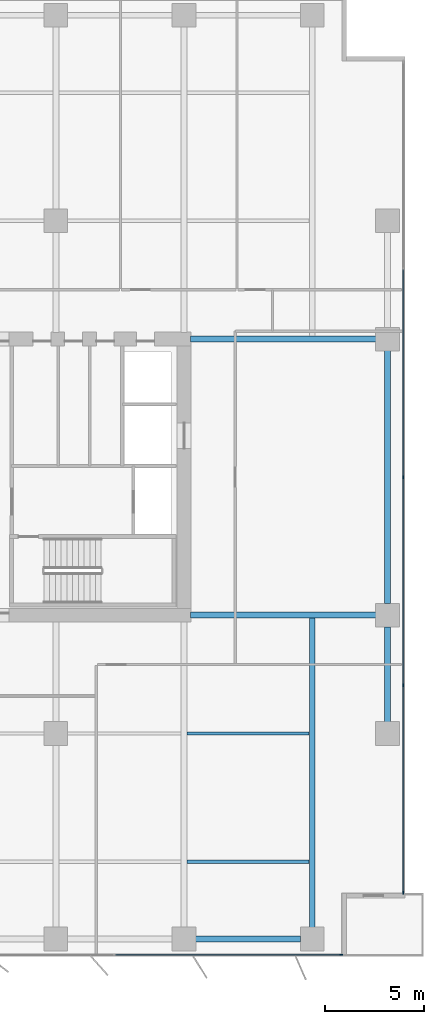
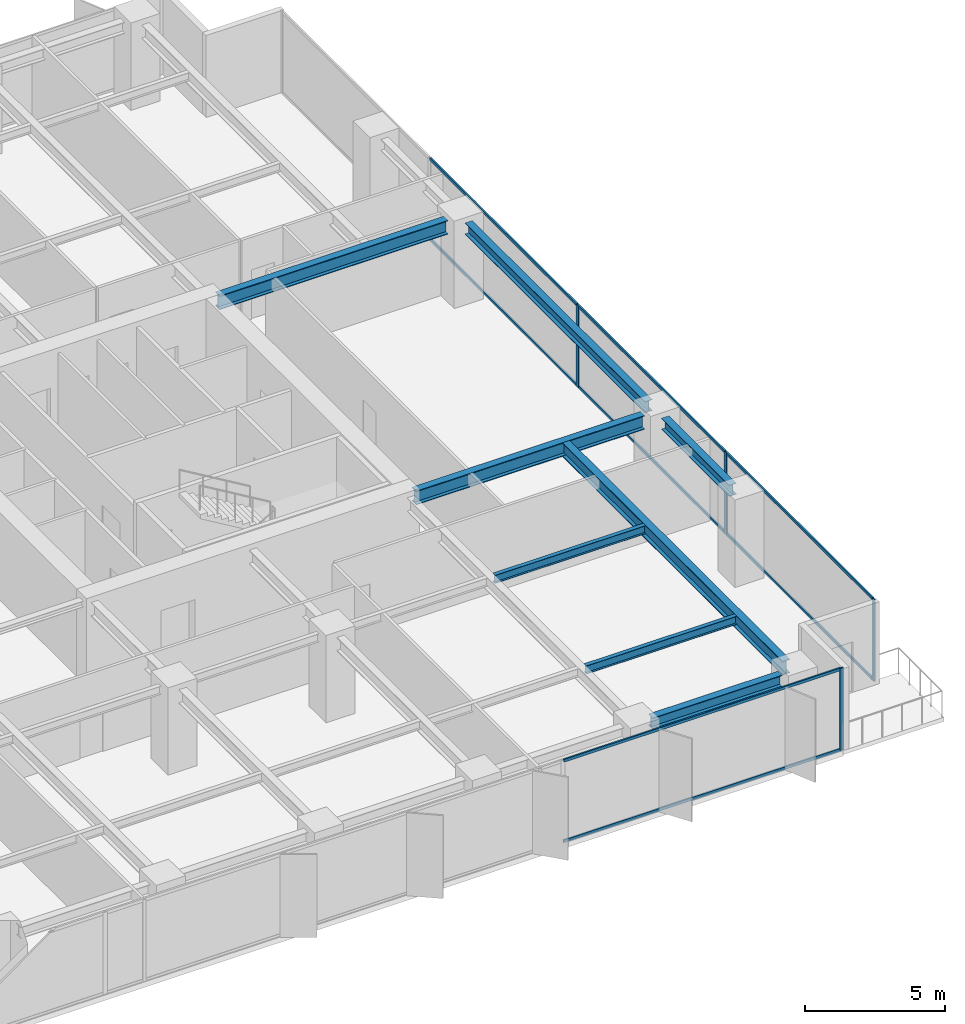
# One storey, part 10 of 20: 12 members, 8 beams, 2 elements without a shape of their own.
"""IFC4 building model written with IfcOpenShell, lengths in metres."""

from ifc_helpers import new_model, si_unit, direction, frame, origin, origin_2d, place, context, subcontext, project, spatial, rectangle, i_section, extrude, material, layer, layer_set, material_profile, profile_set, type_object, element, aggregate, save


model = new_model("IFC4")

# Units and contexts
model_context = context("Model", 3, precision=1e-05, world=origin(), true_north=direction((0.0, 1.0)))
body_context = subcontext(model_context, "Body", "Model", "MODEL_VIEW")
ifc_project = project(units=[si_unit("LENGTHUNIT", "METRE"), si_unit("AREAUNIT", "SQUARE_METRE"), si_unit("VOLUMEUNIT", "CUBIC_METRE"), si_unit("PLANEANGLEUNIT", "RADIAN"), si_unit("MASSUNIT", "GRAM", prefix="KILO")], contexts=[model_context])

# Site, building, storey
site_placement = place(None, origin())
site = spatial("IfcSite", under=ifc_project, at=site_placement, CompositionType="ELEMENT")
building_placement = place(site_placement, origin())
building = spatial("IfcBuilding", under=site, at=building_placement, Name="Putna Gate Headquarters", CompositionType="ELEMENT")
storey_placement = place(building_placement, frame((0.0, 0.0, 112.60009765625)))
storey = spatial("IfcBuildingStorey", under=building, at=storey_placement, Name="L27", CompositionType="ELEMENT", Elevation=112.60009765625)

# Beams
ifc_material_1 = material(Name="Steel S355J2", Category="steel")
ifc_material_profile_1 = material_profile(ifc_material_1, i_section(OverallWidth=0.300048828125, OverallDepth=0.60009765625, WebThickness=0.015380859375, FlangeThickness=0.030029296875, at=origin_2d()), Name="Steel S355J2")
ifc_profile_set_1 = profile_set([ifc_material_profile_1], Name="Steel S355J2")
beam_type_1 = type_object("IfcBeamType", Name="BM-GIRD-Z2-HEB600", PredefinedType="USERDEFINED", material=ifc_profile_set_1)
for number, where, z_axis, x_axis, name in (
    (1, (65.3349609375, 19.0, 3.264892578125), (1.0, 0.0, 0.0), (0.0, 1.0, 0.0), "L27 East Wing Girder Y19"),
    (2, (65.3349609375, 33.0, 3.264892578125), (1.0, 0.0, 0.0), (0.0, 1.0, 0.0), "L27 East Wing Girder Y33"),
):
    element("IfcBeam", number, at=place(storey_placement, frame(where, z_axis=z_axis, x_axis=x_axis)), inside=storey, type_object=beam_type_1, Name=name, ObjectType="GIRDER", PredefinedType="USERDEFINED", context=body_context, shape_type="SweptSolid", body=[
        extrude(i_section(OverallWidth=0.300048828125, OverallDepth=0.60009765625, WebThickness=0.015380859375, FlangeThickness=0.030029296875, at=origin_2d()), origin(), (0.0, 0.0, 1.0), 9.39697265625),
    ])
beam_1_placement = place(storey_placement, frame((71.5, 3.16796875, 3.264892578125), z_axis=(0.0, 1.0, 0.0), x_axis=(-1.0, 0.0, 0.0)))
element("IfcBeam", 3, at=beam_1_placement, inside=storey, type_object=beam_type_1, Name="L27 South Primary Girder X71", ObjectType="GIRDER", PredefinedType="USERDEFINED", context=body_context, shape_type="SweptSolid", body=[
    extrude(i_section(OverallWidth=0.300048828125, OverallDepth=0.60009765625, WebThickness=0.015380859375, FlangeThickness=0.030029296875, at=origin_2d()), origin(), (0.0, 0.0, 1.0), 15.820068359375),
])
ifc_material_profile_2 = material_profile(ifc_material_1, i_section(OverallWidth=0.169921875, OverallDepth=0.360107421875, WebThickness=0.008056640625, FlangeThickness=0.0126953125, at=origin_2d()), Name="Steel S355J2")
ifc_profile_set_2 = profile_set([ifc_material_profile_2], Name="Steel S355J2")
beam_type_2 = type_object("IfcBeamType", Name="BM-SEC-Z2-IPE360", PredefinedType="BEAM", material=ifc_profile_set_2)
for number, where, z_axis, x_axis, name in (
    (4, (65.154052734375, 6.5, 3.385009765625), (1.0, 0.0, 0.0), (0.0, 1.0, 0.0), "L27 South Secondary Beam 10"),
    (5, (65.154052734375, 13.0, 3.385009765625), (1.0, 0.0, 0.0), (0.0, 1.0, 0.0), "L27 South Secondary Beam 10"),
):
    element("IfcBeam", number, at=place(storey_placement, frame(where, z_axis=z_axis, x_axis=x_axis)), inside=storey, type_object=beam_type_2, Name=name, PredefinedType="BEAM", context=body_context, shape_type="SweptSolid", body=[
        extrude(i_section(OverallWidth=0.169921875, OverallDepth=0.360107421875, WebThickness=0.008056640625, FlangeThickness=0.0126953125, at=origin_2d()), origin(), (0.0, 0.0, 1.0), 6.19189453125),
    ])
ifc_material_profile_3 = material_profile(ifc_material_1, i_section(OverallWidth=0.300048828125, OverallDepth=0.489990234375, WebThickness=0.011962890625, FlangeThickness=0.02294921875, at=origin_2d()), Name="Steel S355J2")
ifc_profile_set_3 = profile_set([ifc_material_profile_3], Name="Steel S355J2")
beam_type_3 = type_object("IfcBeamType", Name="BM-SPAN-Z2-HEA500", PredefinedType="SPANDREL", material=ifc_profile_set_3)
beam_2_placement = place(storey_placement, frame((65.587890625, 2.580078125, 3.31982421875), z_axis=(1.0, 0.0, 0.0), x_axis=(0.0, 1.0, 0.0)))
element("IfcBeam", 6, at=beam_2_placement, inside=storey, type_object=beam_type_3, Name="L27 S Perimeter Spandrel 10", PredefinedType="SPANDREL", context=body_context, shape_type="SweptSolid", body=[
    extrude(i_section(OverallWidth=0.300048828125, OverallDepth=0.489990234375, WebThickness=0.011962890625, FlangeThickness=0.02294921875, at=origin_2d()), origin(), (0.0, 0.0, 1.0), 5.32421875),
])
beam_3_placement = place(storey_placement, frame((75.320068359375, 13.587890625, 3.31982421875), z_axis=(0.0, 1.0, 0.0), x_axis=(-1.0, 0.0, 0.0)))
element("IfcBeam", 7, at=beam_3_placement, inside=storey, type_object=beam_type_3, Name="L27 E End Spandrel 1", PredefinedType="SPANDREL", context=body_context, shape_type="SweptSolid", body=[
    extrude(i_section(OverallWidth=0.300048828125, OverallDepth=0.489990234375, WebThickness=0.011962890625, FlangeThickness=0.02294921875, at=origin_2d()), origin(), (0.0, 0.0, 1.0), 4.82421875),
])
beam_4_placement = place(storey_placement, frame((75.320068359375, 19.587890625, 3.31982421875), z_axis=(0.0, 1.0, 0.0), x_axis=(-1.0, 0.0, 0.0)))
element("IfcBeam", 8, at=beam_4_placement, inside=storey, type_object=beam_type_3, Name="L27 E End Spandrel 2", PredefinedType="SPANDREL", context=body_context, shape_type="SweptSolid", body=[
    extrude(i_section(OverallWidth=0.300048828125, OverallDepth=0.489990234375, WebThickness=0.011962890625, FlangeThickness=0.02294921875, at=origin_2d()), origin(), (0.0, 0.0, 1.0), 12.82421875),
])

# Curtain wall, member
ifc_material_2 = material(Name="Anodised bronze aluminium curtain wall", Category="aluminium")
ifc_layer = layer(ifc_material_2, 0.159912109375)
ifc_layer_set = layer_set([ifc_layer], Name="Anodised bronze aluminium curtain wall")
curtain_wall_type = type_object("IfcCurtainWallType", Name="CW-SYS-Z2", PredefinedType="USERDEFINED", material=ifc_layer_set)
curtain_wall_1_placement = place(storey_placement, origin())
curtain_wall_1 = element("IfcCurtainWall", 9, at=curtain_wall_1_placement, inside=storey, type_object=curtain_wall_type, Name="L27 South East Curtain Wall", ObjectType="STICK CURTAIN WALL", PredefinedType="USERDEFINED")
ifc_material_3 = material(Name="Anodised bronze aluminium EN AW-6060", Category="aluminium")
ifc_material_profile_4 = material_profile(ifc_material_3, rectangle(XDim=0.06494140625, YDim=0.159912109375, at=origin_2d()), Name="Anodised bronze aluminium EN AW-6060")
ifc_profile_set_4 = profile_set([ifc_material_profile_4], Name="Anodised bronze aluminium EN AW-6060")
member_type_1 = type_object("IfcMemberType", Name="MULL-CWM-2", PredefinedType="MULLION", material=ifc_profile_set_4)
member_1_placement = place(storey_placement, frame((72.967529296875, 1.780029296875, 0.0), z_axis=(0.0, 0.0, 1.0), x_axis=(0.0, 1.0, 0.0)))
member_1 = element("IfcMember", 10, at=member_1_placement, type_object=member_type_1, Name="CWS-2 mullion 3", PredefinedType="MULLION", context=body_context, shape_type="SweptSolid", body=[
    extrude(rectangle(XDim=0.06494140625, YDim=0.159912109375, at=origin_2d()), origin(), (0.0, 0.0, 1.0), 3.56494140625),
])

# Curtain wall, members
curtain_wall_2_placement = place(storey_placement, origin())
curtain_wall_2 = element("IfcCurtainWall", 11, at=curtain_wall_2_placement, inside=storey, type_object=curtain_wall_type, Name="L27 East Curtain Wall", ObjectType="STICK CURTAIN WALL", PredefinedType="USERDEFINED")
member_2_placement = place(storey_placement, frame((76.1201171875, 4.9326171875, 0.0), z_axis=(0.0, 0.0, 1.0), x_axis=(-1.0, 0.0, 0.0)))
member_2 = element("IfcMember", 12, at=member_2_placement, type_object=member_type_1, Name="CWS-2 mullion 1", PredefinedType="MULLION", context=body_context, shape_type="SweptSolid", body=[
    extrude(rectangle(XDim=0.06494140625, YDim=0.159912109375, at=origin_2d()), origin(), (0.0, 0.0, 1.0), 3.56494140625),
])
member_3_placement = place(storey_placement, frame((76.1201171875, 15.449951171875, 0.0), z_axis=(0.0, 0.0, 1.0), x_axis=(-1.0, 0.0, 0.0)))
member_3 = element("IfcMember", 13, at=member_3_placement, type_object=member_type_1, Name="CWS-2 mullion 2", PredefinedType="MULLION", context=body_context, shape_type="SweptSolid", body=[
    extrude(rectangle(XDim=0.06494140625, YDim=0.159912109375, at=origin_2d()), origin(), (0.0, 0.0, 1.0), 3.56494140625),
])
member_4_placement = place(storey_placement, frame((76.1201171875, 26.0, 0.0), z_axis=(0.0, 0.0, 1.0), x_axis=(-1.0, 0.0, 0.0)))
member_4 = element("IfcMember", 14, at=member_4_placement, type_object=member_type_1, Name="CWS-2 mullion 3", PredefinedType="MULLION", context=body_context, shape_type="SweptSolid", body=[
    extrude(rectangle(XDim=0.06494140625, YDim=0.159912109375, at=origin_2d()), origin(), (0.0, 0.0, 1.0), 3.56494140625),
])

# Member
ifc_material_profile_5 = material_profile(ifc_material_3, rectangle(XDim=0.06494140625, YDim=0.1201171875, at=origin_2d()), Name="Anodised bronze aluminium EN AW-6060")
ifc_profile_set_5 = profile_set([ifc_material_profile_5], Name="Anodised bronze aluminium EN AW-6060")
member_type_2 = type_object("IfcMemberType", Name="TRAN-CWT-2", PredefinedType="USERDEFINED", material=ifc_profile_set_5)
member_5_placement = place(storey_placement, frame((61.532470703125, 1.780029296875, 0.032470703125), z_axis=(1.0, 0.0, 0.0), x_axis=(0.0, 1.0, 0.0)))
member_5 = element("IfcMember", 15, at=member_5_placement, type_object=member_type_2, Name="CWS-2 transom 2.1", ObjectType="TRANSOM", PredefinedType="USERDEFINED", context=body_context, shape_type="SweptSolid", body=[
    extrude(rectangle(XDim=0.06494140625, YDim=0.1201171875, at=origin_2d()), origin(), (0.0, 0.0, 1.0), 11.402587890625),
])

member_6_placement = place(storey_placement, frame((61.532470703125, 1.780029296875, 3.532470703125), z_axis=(1.0, 0.0, 0.0), x_axis=(0.0, 1.0, 0.0)))
member_6 = element("IfcMember", 16, at=member_6_placement, type_object=member_type_2, Name="CWS-2 transom 2.2", ObjectType="TRANSOM", PredefinedType="USERDEFINED", context=body_context, shape_type="SweptSolid", body=[
    extrude(rectangle(XDim=0.06494140625, YDim=0.1201171875, at=origin_2d()), origin(), (0.0, 0.0, 1.0), 11.402587890625),
])

aggregate(curtain_wall_1, [member_1, member_5, member_6])

member_7_placement = place(storey_placement, frame((76.1201171875, 4.965087890625, 0.032470703125), z_axis=(0.0, 1.0, 0.0), x_axis=(-1.0, 0.0, 0.0)))
member_7 = element("IfcMember", 17, at=member_7_placement, type_object=member_type_2, Name="CWS-2 transom 1.1", ObjectType="TRANSOM", PredefinedType="USERDEFINED", context=body_context, shape_type="SweptSolid", body=[
    extrude(rectangle(XDim=0.06494140625, YDim=0.1201171875, at=origin_2d()), origin(), (0.0, 0.0, 1.0), 10.452392578125),
])

member_8_placement = place(storey_placement, frame((76.1201171875, 4.965087890625, 3.532470703125), z_axis=(0.0, 1.0, 0.0), x_axis=(-1.0, 0.0, 0.0)))
member_8 = element("IfcMember", 18, at=member_8_placement, type_object=member_type_2, Name="CWS-2 transom 1.2", ObjectType="TRANSOM", PredefinedType="USERDEFINED", context=body_context, shape_type="SweptSolid", body=[
    extrude(rectangle(XDim=0.06494140625, YDim=0.1201171875, at=origin_2d()), origin(), (0.0, 0.0, 1.0), 10.452392578125),
])

member_9_placement = place(storey_placement, frame((76.1201171875, 15.482421875, 0.032470703125), z_axis=(0.0, 1.0, 0.0), x_axis=(-1.0, 0.0, 0.0)))
member_9 = element("IfcMember", 19, at=member_9_placement, type_object=member_type_2, Name="CWS-2 transom 2.1", ObjectType="TRANSOM", PredefinedType="USERDEFINED", context=body_context, shape_type="SweptSolid", body=[
    extrude(rectangle(XDim=0.06494140625, YDim=0.1201171875, at=origin_2d()), origin(), (0.0, 0.0, 1.0), 10.485107421875),
])

member_10_placement = place(storey_placement, frame((76.1201171875, 15.482421875, 3.532470703125), z_axis=(0.0, 1.0, 0.0), x_axis=(-1.0, 0.0, 0.0)))
member_10 = element("IfcMember", 20, at=member_10_placement, type_object=member_type_2, Name="CWS-2 transom 2.2", ObjectType="TRANSOM", PredefinedType="USERDEFINED", context=body_context, shape_type="SweptSolid", body=[
    extrude(rectangle(XDim=0.06494140625, YDim=0.1201171875, at=origin_2d()), origin(), (0.0, 0.0, 1.0), 10.485107421875),
])

member_11_placement = place(storey_placement, frame((76.1201171875, 26.032470703125, 0.032470703125), z_axis=(0.0, 1.0, 0.0), x_axis=(-1.0, 0.0, 0.0)))
member_11 = element("IfcMember", 21, at=member_11_placement, type_object=member_type_2, Name="CWS-2 transom 3.1", ObjectType="TRANSOM", PredefinedType="USERDEFINED", context=body_context, shape_type="SweptSolid", body=[
    extrude(rectangle(XDim=0.06494140625, YDim=0.1201171875, at=origin_2d()), origin(), (0.0, 0.0, 1.0), 10.485107421875),
])

member_12_placement = place(storey_placement, frame((76.1201171875, 26.032470703125, 3.532470703125), z_axis=(0.0, 1.0, 0.0), x_axis=(-1.0, 0.0, 0.0)))
member_12 = element("IfcMember", 22, at=member_12_placement, type_object=member_type_2, Name="CWS-2 transom 3.2", ObjectType="TRANSOM", PredefinedType="USERDEFINED", context=body_context, shape_type="SweptSolid", body=[
    extrude(rectangle(XDim=0.06494140625, YDim=0.1201171875, at=origin_2d()), origin(), (0.0, 0.0, 1.0), 10.485107421875),
])

aggregate(curtain_wall_2, [member_2, member_3, member_4, member_7, member_8, member_9, member_10, member_11, member_12])

save(model, "model.ifc")
